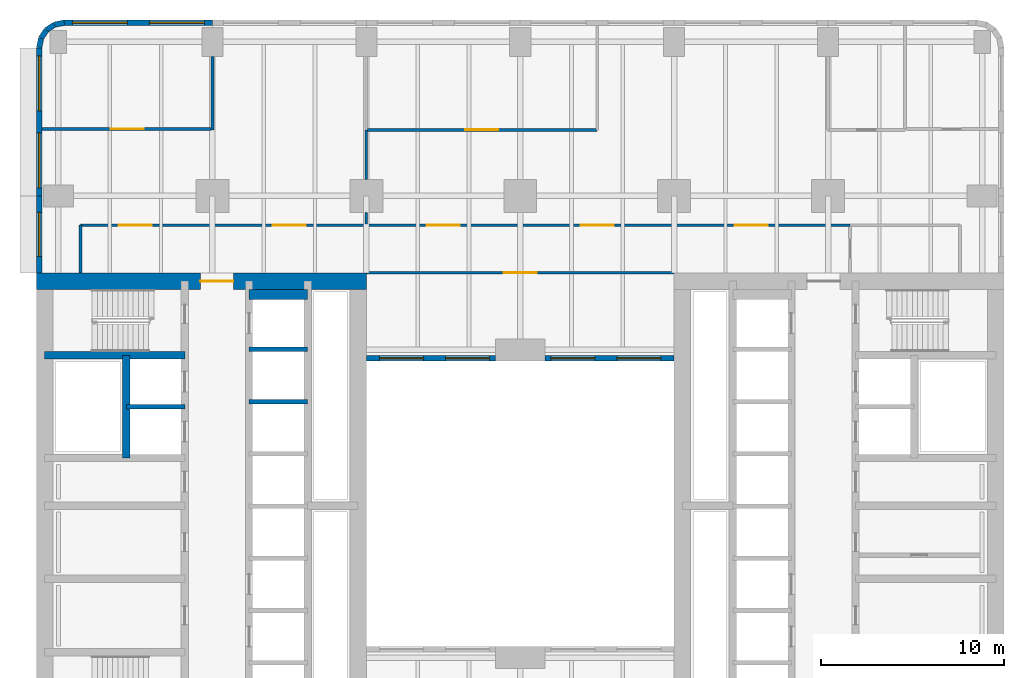
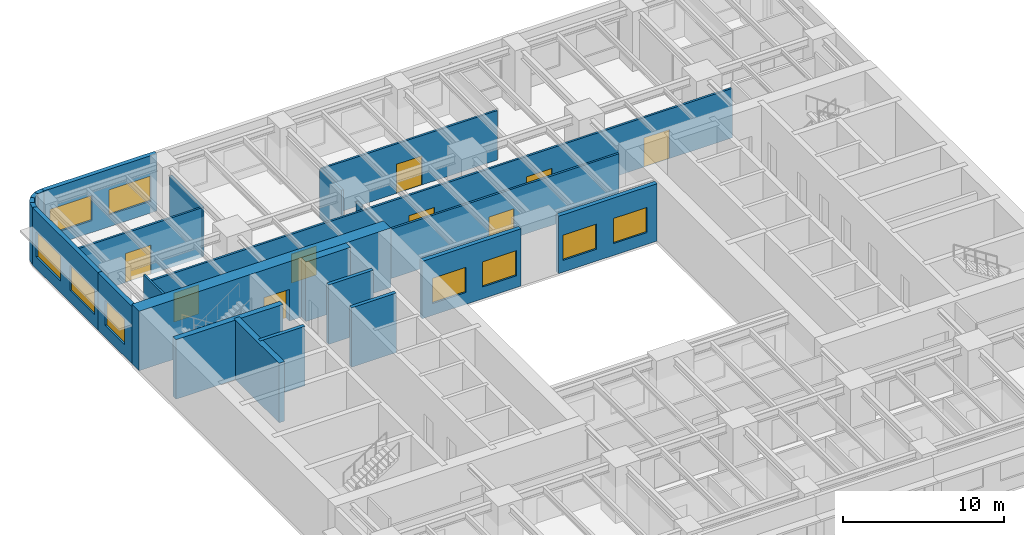
# One storey, part 6 of 12: 24 walls, 9 doors, 9 windows, 18 openings.
"""IFC4 building model written with IfcOpenShell, lengths in metres."""

from ifc_helpers import new_model, si_unit, direction, frame, frame_2d, origin, place, context, subcontext, project, spatial, rectangle, extrude, material, layer, layer_set, type_object, element, fill, save


model = new_model("IFC4")

# Units and contexts
model_context = context("Model", 3, precision=1e-05, world=origin(), true_north=direction((0.0, 1.0)))
body_context = subcontext(model_context, "Body", "Model", "MODEL_VIEW")
ifc_project = project(units=[si_unit("LENGTHUNIT", "METRE"), si_unit("AREAUNIT", "SQUARE_METRE"), si_unit("VOLUMEUNIT", "CUBIC_METRE"), si_unit("PLANEANGLEUNIT", "RADIAN"), si_unit("MASSUNIT", "GRAM", prefix="KILO")], contexts=[model_context])

# Site, building, storey
site_placement = place(None, origin())
site = spatial("IfcSite", under=ifc_project, at=site_placement, CompositionType="ELEMENT")
building_placement = place(site_placement, origin())
building = spatial("IfcBuilding", under=site, at=building_placement, Name="Claustro Exchange Tower", CompositionType="ELEMENT")
storey_placement = place(building_placement, frame((0.0, 0.0, 63.89990234375)))
storey = spatial("IfcBuildingStorey", under=building, at=storey_placement, Name="L14", CompositionType="ELEMENT", Elevation=63.89990234375)

# Wall, opening, door
ifc_material_1 = material(Name="Gypsum board on steel studs", Category="steel")
ifc_layer_1 = layer(ifc_material_1, 0.14990234375)
ifc_layer_set_1 = layer_set([ifc_layer_1], Name="Gypsum board on steel studs")
wall_type_1 = type_object("IfcWallType", Name="P1 150 plasterboard partition", PredefinedType="PARTITIONING", material=ifc_layer_set_1)
wall_1_placement = place(storey_placement, frame((-0.902099609375, 45.64990234375, 0.0), z_axis=(0.0, 0.0, 1.0), x_axis=(1.0, 0.0, 0.0)))
wall_1 = element("IfcWall", 1, at=wall_1_placement, inside=storey, type_object=wall_type_1, Name="Partition P1 L14", PredefinedType="PARTITIONING", context=body_context, shape_type="SweptSolid", body=[
    extrude(rectangle(XDim=9.22802734375, YDim=0.14990234375, at=frame_2d((4.614013671875, 0.0))), origin(), (0.0, 0.0, 1.0), 3.739990234375),
])
opening_1_placement = place(wall_1_placement, frame((3.751953125, 0.0, 0.0)))
opening_1 = element("IfcOpeningElement", 2, at=opening_1_placement, cuts=wall_1, Name="Opening D2", PredefinedType="OPENING", context=body_context, shape_type="SweptSolid", body=[
    extrude(rectangle(XDim=1.800048828125, YDim=2.199951171875, at=frame_2d((0.89990234375, 1.10009765625))), frame((0.0, 0.0849609375, 0.0), z_axis=(0.0, -1.0, 0.0), x_axis=(1.0, 0.0, 0.0)), (0.0, 0.0, 1.0), 0.169921875),
])
ifc_material_2 = material(Name="Timber door, oak veneer", Category="wood")
door_type_1 = type_object("IfcDoorType", Name="D2 1800 x 2200 double door", OperationType="DOUBLE_DOOR_SINGLE_SWING", PredefinedType="DOOR", material=ifc_material_2)
door_1_placement = place(opening_1_placement, origin())
door_1 = element("IfcDoor", 3, at=door_1_placement, inside=storey, type_object=door_type_1, Name="Double door D2 L14", OperationType="DOUBLE_DOOR_SINGLE_SWING", OverallHeight=2.199951171875, OverallWidth=1.800048828125, PredefinedType="DOOR", context=body_context, shape_type="SweptSolid", body=[
    extrude(rectangle(XDim=1.800048828125, YDim=2.199951171875, at=frame_2d((0.89990234375, 1.10009765625))), frame((0.0, 0.02490234375, 0.0), z_axis=(0.0, -1.0, 0.0), x_axis=(1.0, 0.0, 0.0)), (0.0, 0.0, 1.0), 0.050048828125),
])
fill(opening_1, door_1)

# Wall
wall_2_placement = place(storey_placement, frame((8.39990234375, 45.60009765625, 0.0), z_axis=(0.0, 0.0, 1.0), x_axis=(0.0, 1.0, 0.0)))
element("IfcWall", 4, at=wall_2_placement, inside=storey, type_object=wall_type_1, Name="Partition P1 L14", PredefinedType="PARTITIONING", context=body_context, shape_type="SweptSolid", body=[
    extrude(rectangle(XDim=4.0009765625, YDim=0.14990234375, at=frame_2d((2.00048828125, 0.0))), origin(), (0.0, 0.0, 1.0), 3.739990234375),
])

# Wall, opening, door
wall_3_placement = place(storey_placement, frame((16.8740234375, 45.60009765625, 0.0), z_axis=(0.0, 0.0, 1.0), x_axis=(1.0, 0.0, 0.0)))
wall_3 = element("IfcWall", 5, at=wall_3_placement, inside=storey, type_object=wall_type_1, Name="Partition P1 L14", PredefinedType="PARTITIONING", context=body_context, shape_type="SweptSolid", body=[
    extrude(rectangle(XDim=12.52587890625, YDim=0.14990234375, at=frame_2d((6.262939453125, 0.0))), origin(), (0.0, 0.0, 1.0), 3.739990234375),
])
opening_2_placement = place(wall_3_placement, frame((5.325927734375, 0.0, 0.0)))
opening_2 = element("IfcOpeningElement", 6, at=opening_2_placement, cuts=wall_3, Name="Opening D2", PredefinedType="OPENING", context=body_context, shape_type="SweptSolid", body=[
    extrude(rectangle(XDim=1.800048828125, YDim=2.199951171875, at=frame_2d((0.89990234375, 1.10009765625))), frame((0.0, 0.0849609375, 0.0), z_axis=(0.0, -1.0, 0.0), x_axis=(1.0, 0.0, 0.0)), (0.0, 0.0, 1.0), 0.169921875),
])
door_2_placement = place(opening_2_placement, frame((1.800048828125, 0.0, 0.0), z_axis=(0.0, 0.0, 1.0), x_axis=(-1.0, 0.0, 0.0)))
door_2 = element("IfcDoor", 7, at=door_2_placement, inside=storey, type_object=door_type_1, Name="Double door D2 L14", OperationType="DOUBLE_DOOR_SINGLE_SWING", OverallHeight=2.199951171875, OverallWidth=1.800048828125, PredefinedType="DOOR", context=body_context, shape_type="SweptSolid", body=[
    extrude(rectangle(XDim=1.800048828125, YDim=2.199951171875, at=frame_2d((0.89990234375, 1.10009765625))), frame((0.0, 0.02490234375, 0.0), z_axis=(0.0, -1.0, 0.0), x_axis=(1.0, 0.0, 0.0)), (0.0, 0.0, 1.0), 0.050048828125),
])
fill(opening_2, door_2)

# Walls
wall_4_placement = place(storey_placement, frame((16.800048828125, 40.47412109375, 0.0), z_axis=(0.0, 0.0, 1.0), x_axis=(0.0, 1.0, 0.0)))
element("IfcWall", 8, at=wall_4_placement, inside=storey, type_object=wall_type_1, Name="Partition P1 L14", PredefinedType="PARTITIONING", context=body_context, shape_type="SweptSolid", body=[
    extrude(rectangle(XDim=0.626953125, YDim=0.14990234375, at=frame_2d((0.3134765625, 0.0))), origin(), (0.0, 0.0, 1.0), 3.97998046875),
])
wall_5_placement = place(storey_placement, frame((16.800048828125, 42.89892578125, 0.0), z_axis=(0.0, 0.0, 1.0), x_axis=(0.0, 1.0, 0.0)))
element("IfcWall", 9, at=wall_5_placement, inside=storey, type_object=wall_type_1, Name="Partition P1 L14", PredefinedType="PARTITIONING", context=body_context, shape_type="SweptSolid", body=[
    extrude(rectangle(XDim=2.703125, YDim=0.14990234375, at=frame_2d((1.3515625, 0.0))), origin(), (0.0, 0.0, 1.0), 3.739990234375),
])

# Wall, openings, doors
wall_6_placement = place(storey_placement, frame((1.199951171875, 40.39990234375, 0.0), z_axis=(0.0, 0.0, 1.0), x_axis=(1.0, 0.0, 0.0)))
wall_6 = element("IfcWall", 10, at=wall_6_placement, inside=storey, type_object=wall_type_1, Name="Partition P1 L14", PredefinedType="PARTITIONING", context=body_context, shape_type="SweptSolid", body=[
    extrude(rectangle(XDim=42.001953125, YDim=0.14990234375, at=frame_2d((21.0009765625, 0.0))), origin(), (0.0, 0.0, 1.0), 3.739990234375),
])
opening_3_placement = place(wall_6_placement, frame((2.10009765625, 0.0, 0.0)))
opening_3 = element("IfcOpeningElement", 11, at=opening_3_placement, cuts=wall_6, Name="Opening D2", PredefinedType="OPENING", context=body_context, shape_type="SweptSolid", body=[
    extrude(rectangle(XDim=1.800048828125, YDim=2.199951171875, at=frame_2d((0.89990234375, 1.10009765625))), frame((0.0, 0.0849609375, 0.0), z_axis=(0.0, -1.0, 0.0), x_axis=(1.0, 0.0, 0.0)), (0.0, 0.0, 1.0), 0.169921875),
])
opening_4_placement = place(wall_6_placement, frame((10.5, 0.0, 0.0)))
opening_4 = element("IfcOpeningElement", 12, at=opening_4_placement, cuts=wall_6, Name="Opening D2", PredefinedType="OPENING", context=body_context, shape_type="SweptSolid", body=[
    extrude(rectangle(XDim=1.800048828125, YDim=2.199951171875, at=frame_2d((0.89990234375, 1.10009765625))), frame((0.0, 0.0849609375, 0.0), z_axis=(0.0, -1.0, 0.0), x_axis=(1.0, 0.0, 0.0)), (0.0, 0.0, 1.0), 0.169921875),
])
opening_5_placement = place(wall_6_placement, frame((18.89990234375, 0.0, 0.0)))
opening_5 = element("IfcOpeningElement", 13, at=opening_5_placement, cuts=wall_6, Name="Opening D2", PredefinedType="OPENING", context=body_context, shape_type="SweptSolid", body=[
    extrude(rectangle(XDim=1.800048828125, YDim=2.199951171875, at=frame_2d((0.89990234375, 1.10009765625))), frame((0.0, 0.0849609375, 0.0), z_axis=(0.0, -1.0, 0.0), x_axis=(1.0, 0.0, 0.0)), (0.0, 0.0, 1.0), 0.169921875),
])
opening_6_placement = place(wall_6_placement, frame((27.300048828125, 0.0, 0.0)))
opening_6 = element("IfcOpeningElement", 14, at=opening_6_placement, cuts=wall_6, Name="Opening D2", PredefinedType="OPENING", context=body_context, shape_type="SweptSolid", body=[
    extrude(rectangle(XDim=1.800048828125, YDim=2.199951171875, at=frame_2d((0.89990234375, 1.10009765625))), frame((0.0, 0.0849609375, 0.0), z_axis=(0.0, -1.0, 0.0), x_axis=(1.0, 0.0, 0.0)), (0.0, 0.0, 1.0), 0.169921875),
])
opening_7_placement = place(wall_6_placement, frame((35.699951171875, 0.0, 0.0)))
opening_7 = element("IfcOpeningElement", 15, at=opening_7_placement, cuts=wall_6, Name="Opening D2", PredefinedType="OPENING", context=body_context, shape_type="SweptSolid", body=[
    extrude(rectangle(XDim=1.800048828125, YDim=2.199951171875, at=frame_2d((0.89990234375, 1.10009765625))), frame((0.0, 0.0849609375, 0.0), z_axis=(0.0, -1.0, 0.0), x_axis=(1.0, 0.0, 0.0)), (0.0, 0.0, 1.0), 0.169921875),
])
door_3_placement = place(opening_3_placement, origin())
door_3 = element("IfcDoor", 16, at=door_3_placement, inside=storey, type_object=door_type_1, Name="Double door D2 L14", OperationType="DOUBLE_DOOR_SINGLE_SWING", OverallHeight=2.199951171875, OverallWidth=1.800048828125, PredefinedType="DOOR", context=body_context, shape_type="SweptSolid", body=[
    extrude(rectangle(XDim=1.800048828125, YDim=2.199951171875, at=frame_2d((0.89990234375, 1.10009765625))), frame((0.0, 0.02490234375, 0.0), z_axis=(0.0, -1.0, 0.0), x_axis=(1.0, 0.0, 0.0)), (0.0, 0.0, 1.0), 0.050048828125),
])
fill(opening_3, door_3)
door_4_placement = place(opening_4_placement, origin())
door_4 = element("IfcDoor", 17, at=door_4_placement, inside=storey, type_object=door_type_1, Name="Double door D2 L14", OperationType="DOUBLE_DOOR_SINGLE_SWING", OverallHeight=2.199951171875, OverallWidth=1.800048828125, PredefinedType="DOOR", context=body_context, shape_type="SweptSolid", body=[
    extrude(rectangle(XDim=1.800048828125, YDim=2.199951171875, at=frame_2d((0.89990234375, 1.10009765625))), frame((0.0, 0.02490234375, 0.0), z_axis=(0.0, -1.0, 0.0), x_axis=(1.0, 0.0, 0.0)), (0.0, 0.0, 1.0), 0.050048828125),
])
fill(opening_4, door_4)
door_5_placement = place(opening_5_placement, origin())
door_5 = element("IfcDoor", 18, at=door_5_placement, inside=storey, type_object=door_type_1, Name="Double door D2 L14", OperationType="DOUBLE_DOOR_SINGLE_SWING", OverallHeight=2.199951171875, OverallWidth=1.800048828125, PredefinedType="DOOR", context=body_context, shape_type="SweptSolid", body=[
    extrude(rectangle(XDim=1.800048828125, YDim=2.199951171875, at=frame_2d((0.89990234375, 1.10009765625))), frame((0.0, 0.02490234375, 0.0), z_axis=(0.0, -1.0, 0.0), x_axis=(1.0, 0.0, 0.0)), (0.0, 0.0, 1.0), 0.050048828125),
])
fill(opening_5, door_5)
door_6_placement = place(opening_6_placement, origin())
door_6 = element("IfcDoor", 19, at=door_6_placement, inside=storey, type_object=door_type_1, Name="Double door D2 L14", OperationType="DOUBLE_DOOR_SINGLE_SWING", OverallHeight=2.199951171875, OverallWidth=1.800048828125, PredefinedType="DOOR", context=body_context, shape_type="SweptSolid", body=[
    extrude(rectangle(XDim=1.800048828125, YDim=2.199951171875, at=frame_2d((0.89990234375, 1.10009765625))), frame((0.0, 0.02490234375, 0.0), z_axis=(0.0, -1.0, 0.0), x_axis=(1.0, 0.0, 0.0)), (0.0, 0.0, 1.0), 0.050048828125),
])
fill(opening_6, door_6)
door_7_placement = place(opening_7_placement, origin())
door_7 = element("IfcDoor", 20, at=door_7_placement, inside=storey, type_object=door_type_1, Name="Double door D2 L14", OperationType="DOUBLE_DOOR_SINGLE_SWING", OverallHeight=2.199951171875, OverallWidth=1.800048828125, PredefinedType="DOOR", context=body_context, shape_type="SweptSolid", body=[
    extrude(rectangle(XDim=1.800048828125, YDim=2.199951171875, at=frame_2d((0.89990234375, 1.10009765625))), frame((0.0, 0.02490234375, 0.0), z_axis=(0.0, -1.0, 0.0), x_axis=(1.0, 0.0, 0.0)), (0.0, 0.0, 1.0), 0.050048828125),
])
fill(opening_7, door_7)

# Wall
wall_7_placement = place(storey_placement, frame((1.199951171875, 37.800048828125, 0.0), z_axis=(0.0, 0.0, 1.0), x_axis=(0.0, 1.0, 0.0)))
element("IfcWall", 21, at=wall_7_placement, inside=storey, type_object=wall_type_1, Name="Partition P1 L14", PredefinedType="PARTITIONING", context=body_context, shape_type="SweptSolid", body=[
    extrude(rectangle(XDim=2.599853515625, YDim=0.14990234375, at=frame_2d((1.2998046875, 0.0))), origin(), (0.0, 0.0, 1.0), 4.340087890625),
])

# Wall, opening, door
wall_8_placement = place(storey_placement, frame((16.798095703125, 37.800048828125, 0.0), z_axis=(0.0, 0.0, 1.0), x_axis=(1.0, 0.0, 0.0)))
wall_8 = element("IfcWall", 22, at=wall_8_placement, inside=storey, type_object=wall_type_1, Name="Partition P1 L14", PredefinedType="PARTITIONING", context=body_context, shape_type="SweptSolid", body=[
    extrude(rectangle(XDim=16.803955078125, YDim=0.14990234375, at=frame_2d((8.40185546875, 0.0))), origin(), (0.0, 0.0, 1.0), 3.739990234375),
])
opening_8_placement = place(wall_8_placement, frame((7.501953125, 0.0, 0.0)))
opening_8 = element("IfcOpeningElement", 23, at=opening_8_placement, cuts=wall_8, Name="Opening D2", PredefinedType="OPENING", context=body_context, shape_type="SweptSolid", body=[
    extrude(rectangle(XDim=1.800048828125, YDim=2.199951171875, at=frame_2d((0.89990234375, 1.10009765625))), frame((0.0, 0.0849609375, 0.0), z_axis=(0.0, -1.0, 0.0), x_axis=(1.0, 0.0, 0.0)), (0.0, 0.0, 1.0), 0.169921875),
])
door_8_placement = place(opening_8_placement, origin())
door_8 = element("IfcDoor", 24, at=door_8_placement, inside=storey, type_object=door_type_1, Name="Double door D2 L14", OperationType="DOUBLE_DOOR_SINGLE_SWING", OverallHeight=2.199951171875, OverallWidth=1.800048828125, PredefinedType="DOOR", context=body_context, shape_type="SweptSolid", body=[
    extrude(rectangle(XDim=1.800048828125, YDim=2.199951171875, at=frame_2d((0.89990234375, 1.10009765625))), frame((0.0, 0.02490234375, 0.0), z_axis=(0.0, -1.0, 0.0), x_axis=(1.0, 0.0, 0.0)), (0.0, 0.0, 1.0), 0.050048828125),
])
fill(opening_8, door_8)

# Wall, opening, window
ifc_material_3 = material(Name="Concrete HA-40 (C40/50), precast, white cement, acid-etched", Category="concrete")
ifc_layer_2 = layer(ifc_material_3, 0.300048828125)
ifc_layer_set_2 = layer_set([ifc_layer_2], Name="Concrete HA-40 (C40/50), precast, white cement, acid-etched")
wall_type_2 = type_object("IfcWallType", Name="PC1 300 precast concrete pier panel", PredefinedType="SOLIDWALL", material=ifc_layer_set_2)
wall_9_placement = place(storey_placement, frame((-1.050048828125, 37.800048828125, 0.0), z_axis=(0.0, 0.0, 1.0), x_axis=(0.0, 1.0, 0.0)))
wall_9 = element("IfcWall", 25, at=wall_9_placement, inside=storey, type_object=wall_type_2, Name="Precast pier panel PC1 L14", PredefinedType="SOLIDWALL", context=body_context, shape_type="SweptSolid", body=[
    extrude(rectangle(XDim=4.199951171875, YDim=0.300048828125, at=frame_2d((2.10009765625, 0.0))), origin(), (0.0, 0.0, 1.0), 4.340087890625),
])
opening_9_placement = place(wall_9_placement, frame((0.89990234375, 0.0, 0.89990234375)))
opening_9 = element("IfcOpeningElement", 26, at=opening_9_placement, cuts=wall_9, Name="Opening W2", PredefinedType="OPENING", context=body_context, shape_type="SweptSolid", body=[
    extrude(rectangle(XDim=2.39990234375, YDim=1.89990234375, at=frame_2d((1.199951171875, 0.949951171875))), frame((0.0, 0.159912109375, 0.0), z_axis=(0.0, -1.0, 0.0), x_axis=(1.0, 0.0, 0.0)), (0.0, 0.0, 1.0), 0.320068359375),
])
ifc_material_4 = material(Name="Aluminium frame, clear double glazing", Category="aluminium")
window_type_1 = type_object("IfcWindowType", Name="W2 2400 x 1900 window", PartitioningType="SINGLE_PANEL", PredefinedType="WINDOW", material=ifc_material_4)
window_1_placement = place(opening_9_placement, origin())
window_1 = element("IfcWindow", 27, at=window_1_placement, inside=storey, type_object=window_type_1, Name="Window W2 L14", OverallHeight=1.89990234375, OverallWidth=2.39990234375, PartitioningType="SINGLE_PANEL", PredefinedType="WINDOW", context=body_context, shape_type="SweptSolid", body=[
    extrude(rectangle(XDim=2.39990234375, YDim=1.89990234375, at=frame_2d((1.199951171875, 0.949951171875))), frame((0.0, 0.030029296875, 0.0), z_axis=(0.0, -1.0, 0.0), x_axis=(1.0, 0.0, 0.0)), (0.0, 0.0, 1.0), 0.06005859375),
])
fill(opening_9, window_1)

# Wall, openings, windows
wall_10_placement = place(storey_placement, frame((-1.050048828125, 42.0, 0.0), z_axis=(0.0, 0.0, 1.0), x_axis=(0.0, 1.0, 0.0)))
wall_10 = element("IfcWall", 28, at=wall_10_placement, inside=storey, type_object=wall_type_2, Name="Precast pier panel PC1 L14", PredefinedType="SOLIDWALL", context=body_context, shape_type="SweptSolid", body=[
    extrude(rectangle(XDim=8.085205078125, YDim=0.300048828125, at=frame_2d((4.04248046875, 0.0))), origin(), (0.0, 0.0, 1.0), 4.340087890625),
])
opening_10_placement = place(wall_10_placement, frame((0.442626953125, 0.0, 0.89990234375)))
opening_10 = element("IfcOpeningElement", 29, at=opening_10_placement, cuts=wall_10, Name="Opening W1", PredefinedType="OPENING", context=body_context, shape_type="SweptSolid", body=[
    extrude(rectangle(XDim=3.0, YDim=1.89990234375, at=frame_2d((1.5, 0.949951171875))), frame((0.0, 0.159912109375, 0.0), z_axis=(0.0, -1.0, 0.0), x_axis=(1.0, 0.0, 0.0)), (0.0, 0.0, 1.0), 0.320068359375),
])
opening_11_placement = place(wall_10_placement, frame((4.642578125, 0.0, 0.89990234375)))
opening_11 = element("IfcOpeningElement", 30, at=opening_11_placement, cuts=wall_10, Name="Opening W1", PredefinedType="OPENING", context=body_context, shape_type="SweptSolid", body=[
    extrude(rectangle(XDim=3.0, YDim=1.89990234375, at=frame_2d((1.5, 0.949951171875))), frame((0.0, 0.159912109375, 0.0), z_axis=(0.0, -1.0, 0.0), x_axis=(1.0, 0.0, 0.0)), (0.0, 0.0, 1.0), 0.320068359375),
])
ifc_material_5 = material(Name="Aluminium frame, clear double glazing", Category="aluminium")
window_type_2 = type_object("IfcWindowType", Name="W1 3000 x 1900 window", PartitioningType="SINGLE_PANEL", PredefinedType="WINDOW", material=ifc_material_5)
window_2_placement = place(opening_10_placement, origin())
window_2 = element("IfcWindow", 31, at=window_2_placement, inside=storey, type_object=window_type_2, Name="Window W1 L14", OverallHeight=1.89990234375, OverallWidth=3.0, PartitioningType="SINGLE_PANEL", PredefinedType="WINDOW", context=body_context, shape_type="SweptSolid", body=[
    extrude(rectangle(XDim=3.0, YDim=1.89990234375, at=frame_2d((1.5, 0.949951171875))), frame((0.0, 0.030029296875, 0.0), z_axis=(0.0, -1.0, 0.0), x_axis=(1.0, 0.0, 0.0)), (0.0, 0.0, 1.0), 0.06005859375),
])
fill(opening_10, window_2)
window_3_placement = place(opening_11_placement, origin())
window_3 = element("IfcWindow", 32, at=window_3_placement, inside=storey, type_object=window_type_2, Name="Window W1 L14", OverallHeight=1.89990234375, OverallWidth=3.0, PartitioningType="SINGLE_PANEL", PredefinedType="WINDOW", context=body_context, shape_type="SweptSolid", body=[
    extrude(rectangle(XDim=3.0, YDim=1.89990234375, at=frame_2d((1.5, 0.949951171875))), frame((0.0, 0.030029296875, 0.0), z_axis=(0.0, -1.0, 0.0), x_axis=(1.0, 0.0, 0.0)), (0.0, 0.0, 1.0), 0.06005859375),
])
fill(opening_11, window_3)

# Walls
wall_11_placement = place(storey_placement, frame((-1.050048828125, 50.085205078125, 0.0), z_axis=(0.0, 0.0, 1.0), x_axis=(0.195073962632, 0.980788534345, 0.0)))
element("IfcWall", 33, at=wall_11_placement, inside=storey, type_object=wall_type_2, Name="Precast pier panel PC1 L14", PredefinedType="SOLIDWALL", context=body_context, shape_type="SweptSolid", body=[
    extrude(rectangle(XDim=0.540771484375, YDim=0.300048828125, at=frame_2d((0.2705078125, 0.0))), origin(), (0.0, 0.0, 1.0), 4.340087890625),
])
for number, where, z_axis, x_axis, name in (
    (34, (-0.944580078125, 50.615478515625, 0.0), (0.0, 0.0, 1.0), (0.555557463938, 0.831478144188, 0.0), "Precast pier panel PC1 L14"),
    (35, (-0.652587890625, 51.052490234375, 0.0), (0.0, 0.0, 1.0), (0.831478144188, 0.555557463938, 0.0), "Precast pier panel PC1 L14"),
):
    element("IfcWall", number, at=place(storey_placement, frame(where, z_axis=z_axis, x_axis=x_axis)), inside=storey, type_object=wall_type_2, Name=name, PredefinedType="SOLIDWALL", context=body_context, shape_type="SweptSolid", body=[
        extrude(rectangle(XDim=0.525634765625, YDim=0.300048828125, at=frame_2d((0.2626953125, 0.0))), origin(), (0.0, 0.0, 1.0), 4.340087890625),
    ])
wall_12_placement = place(storey_placement, frame((-0.215576171875, 51.344482421875, 0.0), z_axis=(0.0, 0.0, 1.0), x_axis=(0.980788534345, 0.195073962632, 0.0)))
element("IfcWall", 36, at=wall_12_placement, inside=storey, type_object=wall_type_2, Name="Precast pier panel PC1 L14", PredefinedType="SOLIDWALL", context=body_context, shape_type="SweptSolid", body=[
    extrude(rectangle(XDim=0.540771484375, YDim=0.300048828125, at=frame_2d((0.2705078125, 0.0))), origin(), (0.0, 0.0, 1.0), 4.340087890625),
])

# Wall, openings, windows
wall_13_placement = place(storey_placement, frame((0.314697265625, 51.449951171875, 0.0), z_axis=(0.0, 0.0, 1.0), x_axis=(1.0, 0.0, 0.0)))
wall_13 = element("IfcWall", 37, at=wall_13_placement, inside=storey, type_object=wall_type_2, Name="Precast pier panel PC1 L14", PredefinedType="SOLIDWALL", context=body_context, shape_type="SweptSolid", body=[
    extrude(rectangle(XDim=8.085205078125, YDim=0.300048828125, at=frame_2d((4.04248046875, 0.0))), origin(), (0.0, 0.0, 1.0), 4.340087890625),
])
opening_12_placement = place(wall_13_placement, frame((0.442626953125, 0.0, 0.89990234375)))
opening_12 = element("IfcOpeningElement", 38, at=opening_12_placement, cuts=wall_13, Name="Opening W1", PredefinedType="OPENING", context=body_context, shape_type="SweptSolid", body=[
    extrude(rectangle(XDim=3.0, YDim=1.89990234375, at=frame_2d((1.5, 0.949951171875))), frame((0.0, 0.159912109375, 0.0), z_axis=(0.0, -1.0, 0.0), x_axis=(1.0, 0.0, 0.0)), (0.0, 0.0, 1.0), 0.320068359375),
])
opening_13_placement = place(wall_13_placement, frame((4.642578125, 0.0, 0.89990234375)))
opening_13 = element("IfcOpeningElement", 39, at=opening_13_placement, cuts=wall_13, Name="Opening W1", PredefinedType="OPENING", context=body_context, shape_type="SweptSolid", body=[
    extrude(rectangle(XDim=3.0, YDim=1.89990234375, at=frame_2d((1.5, 0.949951171875))), frame((0.0, 0.159912109375, 0.0), z_axis=(0.0, -1.0, 0.0), x_axis=(1.0, 0.0, 0.0)), (0.0, 0.0, 1.0), 0.320068359375),
])
window_4_placement = place(opening_12_placement, origin())
window_4 = element("IfcWindow", 40, at=window_4_placement, inside=storey, type_object=window_type_2, Name="Window W1 L14", OverallHeight=1.89990234375, OverallWidth=3.0, PartitioningType="SINGLE_PANEL", PredefinedType="WINDOW", context=body_context, shape_type="SweptSolid", body=[
    extrude(rectangle(XDim=3.0, YDim=1.89990234375, at=frame_2d((1.5, 0.949951171875))), frame((0.0, 0.030029296875, 0.0), z_axis=(0.0, -1.0, 0.0), x_axis=(1.0, 0.0, 0.0)), (0.0, 0.0, 1.0), 0.06005859375),
])
fill(opening_12, window_4)
window_5_placement = place(opening_13_placement, origin())
window_5 = element("IfcWindow", 41, at=window_5_placement, inside=storey, type_object=window_type_2, Name="Window W1 L14", OverallHeight=1.89990234375, OverallWidth=3.0, PartitioningType="SINGLE_PANEL", PredefinedType="WINDOW", context=body_context, shape_type="SweptSolid", body=[
    extrude(rectangle(XDim=3.0, YDim=1.89990234375, at=frame_2d((1.5, 0.949951171875))), frame((0.0, 0.030029296875, 0.0), z_axis=(0.0, -1.0, 0.0), x_axis=(1.0, 0.0, 0.0)), (0.0, 0.0, 1.0), 0.06005859375),
])
fill(opening_13, window_5)

wall_14_placement = place(storey_placement, frame((16.800048828125, 33.14990234375, 0.0), z_axis=(0.0, 0.0, 1.0), x_axis=(1.0, 0.0, 0.0)))
wall_14 = element("IfcWall", 42, at=wall_14_placement, inside=storey, type_object=wall_type_2, Name="Precast pier panel PC1 L14", PredefinedType="SOLIDWALL", context=body_context, shape_type="SweptSolid", body=[
    extrude(rectangle(XDim=7.050048828125, YDim=0.300048828125, at=frame_2d((3.52490234375, 0.0))), origin(), (0.0, 0.0, 1.0), 4.340087890625),
])
opening_14_placement = place(wall_14_placement, frame((0.72509765625, 0.0, 0.89990234375)))
opening_14 = element("IfcOpeningElement", 43, at=opening_14_placement, cuts=wall_14, Name="Opening W2", PredefinedType="OPENING", context=body_context, shape_type="SweptSolid", body=[
    extrude(rectangle(XDim=2.39990234375, YDim=1.89990234375, at=frame_2d((1.199951171875, 0.949951171875))), frame((0.0, 0.159912109375, 0.0), z_axis=(0.0, -1.0, 0.0), x_axis=(1.0, 0.0, 0.0)), (0.0, 0.0, 1.0), 0.320068359375),
])
opening_15_placement = place(wall_14_placement, frame((4.324951171875, 0.0, 0.89990234375)))
opening_15 = element("IfcOpeningElement", 44, at=opening_15_placement, cuts=wall_14, Name="Opening W2", PredefinedType="OPENING", context=body_context, shape_type="SweptSolid", body=[
    extrude(rectangle(XDim=2.39990234375, YDim=1.89990234375, at=frame_2d((1.199951171875, 0.949951171875))), frame((0.0, 0.159912109375, 0.0), z_axis=(0.0, -1.0, 0.0), x_axis=(1.0, 0.0, 0.0)), (0.0, 0.0, 1.0), 0.320068359375),
])
window_6_placement = place(opening_14_placement, origin())
window_6 = element("IfcWindow", 45, at=window_6_placement, inside=storey, type_object=window_type_1, Name="Window W2 L14", OverallHeight=1.89990234375, OverallWidth=2.39990234375, PartitioningType="SINGLE_PANEL", PredefinedType="WINDOW", context=body_context, shape_type="SweptSolid", body=[
    extrude(rectangle(XDim=2.39990234375, YDim=1.89990234375, at=frame_2d((1.199951171875, 0.949951171875))), frame((0.0, 0.030029296875, 0.0), z_axis=(0.0, -1.0, 0.0), x_axis=(1.0, 0.0, 0.0)), (0.0, 0.0, 1.0), 0.06005859375),
])
fill(opening_14, window_6)
window_7_placement = place(opening_15_placement, origin())
window_7 = element("IfcWindow", 46, at=window_7_placement, inside=storey, type_object=window_type_1, Name="Window W2 L14", OverallHeight=1.89990234375, OverallWidth=2.39990234375, PartitioningType="SINGLE_PANEL", PredefinedType="WINDOW", context=body_context, shape_type="SweptSolid", body=[
    extrude(rectangle(XDim=2.39990234375, YDim=1.89990234375, at=frame_2d((1.199951171875, 0.949951171875))), frame((0.0, 0.030029296875, 0.0), z_axis=(0.0, -1.0, 0.0), x_axis=(1.0, 0.0, 0.0)), (0.0, 0.0, 1.0), 0.06005859375),
])
fill(opening_15, window_7)

wall_15_placement = place(storey_placement, frame((26.550048828125, 33.14990234375, 0.0), z_axis=(0.0, 0.0, 1.0), x_axis=(1.0, 0.0, 0.0)))
wall_15 = element("IfcWall", 47, at=wall_15_placement, inside=storey, type_object=wall_type_2, Name="Precast pier panel PC1 L14", PredefinedType="SOLIDWALL", context=body_context, shape_type="SweptSolid", body=[
    extrude(rectangle(XDim=7.050048828125, YDim=0.300048828125, at=frame_2d((3.52490234375, 0.0))), origin(), (0.0, 0.0, 1.0), 4.340087890625),
])
opening_16_placement = place(wall_15_placement, frame((0.324951171875, 0.0, 0.89990234375)))
opening_16 = element("IfcOpeningElement", 48, at=opening_16_placement, cuts=wall_15, Name="Opening W2", PredefinedType="OPENING", context=body_context, shape_type="SweptSolid", body=[
    extrude(rectangle(XDim=2.39990234375, YDim=1.89990234375, at=frame_2d((1.199951171875, 0.949951171875))), frame((0.0, 0.159912109375, 0.0), z_axis=(0.0, -1.0, 0.0), x_axis=(1.0, 0.0, 0.0)), (0.0, 0.0, 1.0), 0.320068359375),
])
opening_17_placement = place(wall_15_placement, frame((3.925048828125, 0.0, 0.89990234375)))
opening_17 = element("IfcOpeningElement", 49, at=opening_17_placement, cuts=wall_15, Name="Opening W2", PredefinedType="OPENING", context=body_context, shape_type="SweptSolid", body=[
    extrude(rectangle(XDim=2.39990234375, YDim=1.89990234375, at=frame_2d((1.199951171875, 0.949951171875))), frame((0.0, 0.159912109375, 0.0), z_axis=(0.0, -1.0, 0.0), x_axis=(1.0, 0.0, 0.0)), (0.0, 0.0, 1.0), 0.320068359375),
])
window_8_placement = place(opening_16_placement, origin())
window_8 = element("IfcWindow", 50, at=window_8_placement, inside=storey, type_object=window_type_1, Name="Window W2 L14", OverallHeight=1.89990234375, OverallWidth=2.39990234375, PartitioningType="SINGLE_PANEL", PredefinedType="WINDOW", context=body_context, shape_type="SweptSolid", body=[
    extrude(rectangle(XDim=2.39990234375, YDim=1.89990234375, at=frame_2d((1.199951171875, 0.949951171875))), frame((0.0, 0.030029296875, 0.0), z_axis=(0.0, -1.0, 0.0), x_axis=(1.0, 0.0, 0.0)), (0.0, 0.0, 1.0), 0.06005859375),
])
fill(opening_16, window_8)
window_9_placement = place(opening_17_placement, origin())
window_9 = element("IfcWindow", 51, at=window_9_placement, inside=storey, type_object=window_type_1, Name="Window W2 L14", OverallHeight=1.89990234375, OverallWidth=2.39990234375, PartitioningType="SINGLE_PANEL", PredefinedType="WINDOW", context=body_context, shape_type="SweptSolid", body=[
    extrude(rectangle(XDim=2.39990234375, YDim=1.89990234375, at=frame_2d((1.199951171875, 0.949951171875))), frame((0.0, 0.030029296875, 0.0), z_axis=(0.0, -1.0, 0.0), x_axis=(1.0, 0.0, 0.0)), (0.0, 0.0, 1.0), 0.06005859375),
])
fill(opening_17, window_9)

# Wall, opening, door
ifc_material_6 = material(Name="Concrete HA-70 (C70/85)", Category="concrete")
ifc_layer_3 = layer(ifc_material_6, 0.89990234375)
ifc_layer_set_3 = layer_set([ifc_layer_3], Name="Concrete HA-70 (C70/85)")
wall_type_3 = type_object("IfcWallType", Name="SW1 900 core shear wall", PredefinedType="SHEAR", material=ifc_layer_set_3)
wall_16_placement = place(storey_placement, frame((-1.199951171875, 37.35009765625, 0.0), z_axis=(0.0, 0.0, 1.0), x_axis=(1.0, 0.0, 0.0)))
wall_16 = element("IfcWall", 52, at=wall_16_placement, inside=storey, type_object=wall_type_3, Name="Core wall SW1 W core N face L14", PredefinedType="SHEAR", context=body_context, shape_type="SweptSolid", body=[
    extrude(rectangle(XDim=18.0, YDim=0.89990234375, at=frame_2d((9.0, 0.0))), origin(), (0.0, 0.0, 1.0), 4.5),
])
opening_18_placement = place(wall_16_placement, frame((8.949951171875, 0.0, 0.0)))
opening_18 = element("IfcOpeningElement", 53, at=opening_18_placement, cuts=wall_16, Name="Opening D3", PredefinedType="OPENING", context=body_context, shape_type="SweptSolid", body=[
    extrude(rectangle(XDim=1.800048828125, YDim=2.39990234375, at=frame_2d((0.89990234375, 1.199951171875))), frame((0.0, 0.4599609375, 0.0), z_axis=(0.0, -1.0, 0.0), x_axis=(1.0, 0.0, 0.0)), (0.0, 0.0, 1.0), 0.919921875),
])
ifc_material_7 = material(Name="Steel fire door, painted", Category="steel")
door_type_2 = type_object("IfcDoorType", Name="D3 1800 x 2400 fire-rated lobby double door", OperationType="DOUBLE_DOOR_SINGLE_SWING", PredefinedType="DOOR", material=ifc_material_7)
door_9_placement = place(opening_18_placement, frame((1.800048828125, 0.0, 0.0), z_axis=(0.0, 0.0, 1.0), x_axis=(-1.0, 0.0, 0.0)))
door_9 = element("IfcDoor", 54, at=door_9_placement, inside=storey, type_object=door_type_2, Name="Lift lobby door D3 L14", OperationType="DOUBLE_DOOR_SINGLE_SWING", OverallHeight=2.39990234375, OverallWidth=1.800048828125, PredefinedType="DOOR", context=body_context, shape_type="SweptSolid", body=[
    extrude(rectangle(XDim=1.800048828125, YDim=2.39990234375, at=frame_2d((0.89990234375, 1.199951171875))), frame((0.0, 0.02490234375, 0.0), z_axis=(0.0, -1.0, 0.0), x_axis=(1.0, 0.0, 0.0)), (0.0, 0.0, 1.0), 0.050048828125),
])
fill(opening_18, door_9)

# Walls
ifc_material_8 = material(Name="Concrete HA-50 (C50/60)", Category="concrete")
ifc_layer_4 = layer(ifc_material_8, 0.39990234375)
ifc_layer_set_4 = layer_set([ifc_layer_4], Name="Concrete HA-50 (C50/60)")
wall_type_4 = type_object("IfcWallType", Name="SW4 400 internal core wall", PredefinedType="SHEAR", material=ifc_layer_set_4)
wall_17_placement = place(storey_placement, frame((-0.75, 33.300048828125, 0.0), z_axis=(0.0, 0.0, 1.0), x_axis=(1.0, 0.0, 0.0)))
element("IfcWall", 55, at=wall_17_placement, inside=storey, type_object=wall_type_4, Name="Internal core wall SW4 W core L14", PredefinedType="SHEAR", context=body_context, shape_type="SweptSolid", body=[
    extrude(rectangle(XDim=7.64990234375, YDim=0.39990234375, at=frame_2d((3.824951171875, 0.0))), origin(), (0.0, 0.0, 1.0), 4.5),
])
wall_18_placement = place(storey_placement, frame((3.699951171875, 27.699951171875, 0.0), z_axis=(0.0, 0.0, 1.0), x_axis=(0.0, 1.0, 0.0)))
element("IfcWall", 56, at=wall_18_placement, inside=storey, type_object=wall_type_4, Name="Internal core wall SW4 W core L14", PredefinedType="SHEAR", context=body_context, shape_type="SweptSolid", body=[
    extrude(rectangle(XDim=5.60009765625, YDim=0.39990234375, at=frame_2d((2.800048828125, 0.0))), origin(), (0.0, 0.0, 1.0), 4.5),
])
ifc_material_9 = material(Name="Concrete HA-50 (C50/60)", Category="concrete")
ifc_layer_5 = layer(ifc_material_9, 0.25)
ifc_layer_set_5 = layer_set([ifc_layer_5], Name="Concrete HA-50 (C50/60)")
wall_type_5 = type_object("IfcWallType", Name="SW5 250 lift shaft divider wall", PredefinedType="SHEAR", material=ifc_layer_set_5)
wall_19_placement = place(storey_placement, frame((3.699951171875, 30.5, 0.0), z_axis=(0.0, 0.0, 1.0), x_axis=(1.0, 0.0, 0.0)))
element("IfcWall", 57, at=wall_19_placement, inside=storey, type_object=wall_type_5, Name="Lift shaft wall W core L14", PredefinedType="SHEAR", context=body_context, shape_type="SweptSolid", body=[
    extrude(rectangle(XDim=3.199951171875, YDim=0.25, at=frame_2d((1.60009765625, 0.0))), origin(), (0.0, 0.0, 1.0), 4.5),
])
for number, where, z_axis, x_axis, name in (
    (58, (10.39990234375, 30.77490234375, 0.0), (0.0, 0.0, 1.0), (1.0, 0.0, 0.0), "Lift shaft wall W core L14"),
    (59, (10.39990234375, 33.625, 0.0), (0.0, 0.0, 1.0), (1.0, 0.0, 0.0), "Lift shaft wall W core L14"),
):
    element("IfcWall", number, at=place(storey_placement, frame(where, z_axis=z_axis, x_axis=x_axis)), inside=storey, type_object=wall_type_5, Name=name, PredefinedType="SHEAR", context=body_context, shape_type="SweptSolid", body=[
        extrude(rectangle(XDim=3.2001953125, YDim=0.25, at=frame_2d((1.60009765625, 0.0))), origin(), (0.0, 0.0, 1.0), 4.5),
    ])
ifc_material_10 = material(Name="Concrete HA-50 (C50/60)", Category="concrete")
ifc_layer_6 = layer(ifc_material_10, 0.550048828125)
ifc_layer_set_6 = layer_set([ifc_layer_6], Name="Concrete HA-50 (C50/60)")
wall_type_6 = type_object("IfcWallType", Name="SW6 550 lift shaft end wall", PredefinedType="SHEAR", material=ifc_layer_set_6)
wall_20_placement = place(storey_placement, frame((10.39990234375, 36.625, 0.0), z_axis=(0.0, 0.0, 1.0), x_axis=(1.0, 0.0, 0.0)))
element("IfcWall", 60, at=wall_20_placement, inside=storey, type_object=wall_type_6, Name="Lift shaft wall W core L14", PredefinedType="SHEAR", context=body_context, shape_type="SweptSolid", body=[
    extrude(rectangle(XDim=3.2001953125, YDim=0.550048828125, at=frame_2d((1.60009765625, 0.0))), origin(), (0.0, 0.0, 1.0), 4.5),
])

save(model, "model.ifc")
